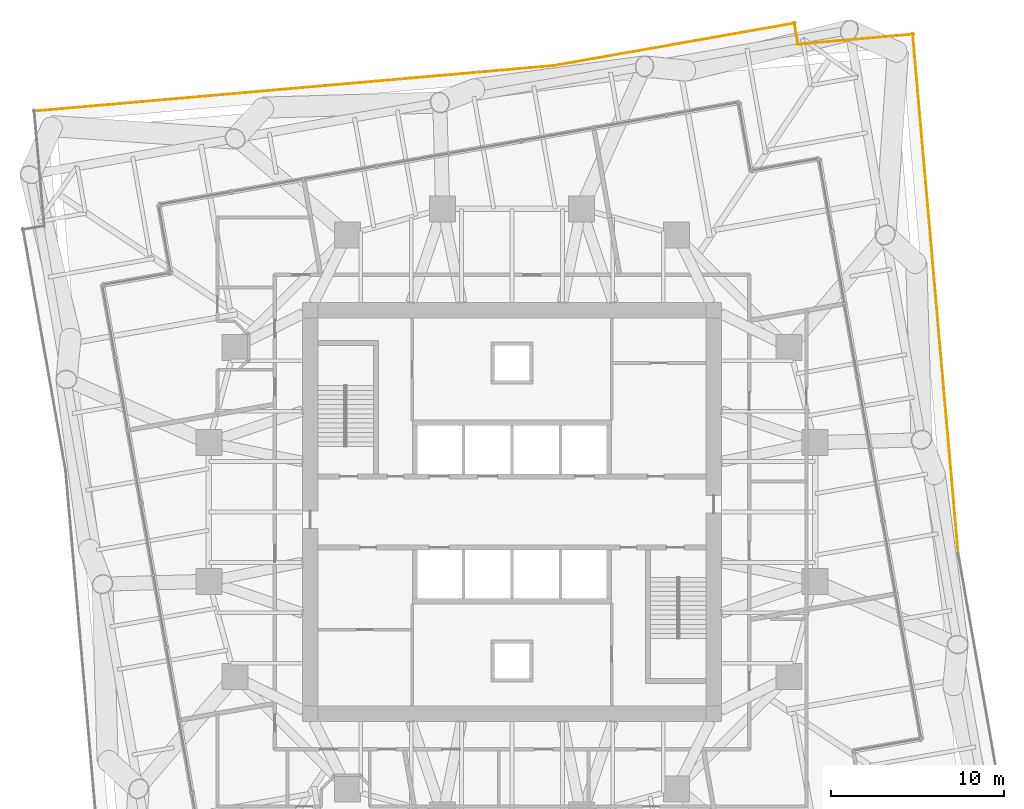
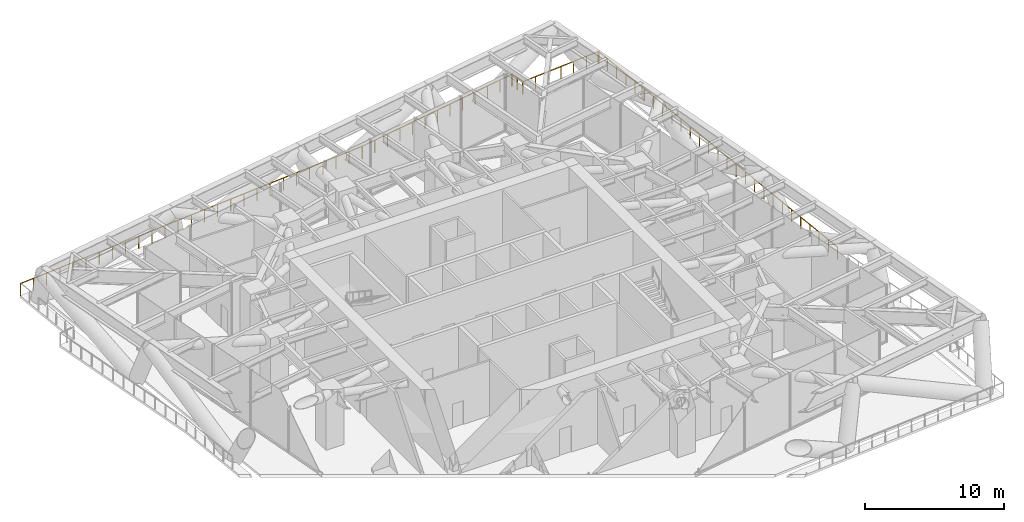
# One storey, part 15 of 15: 5 railings.
"""IFC4 building model written with IfcOpenShell, lengths in metres."""

from ifc_helpers import new_model, si_unit, direction, frame, origin, origin_2d, place, context, subcontext, project, spatial, circle, extrude, material, type_object, element, save


model = new_model("IFC4")

# Units and contexts
model_context = context("Model", 3, precision=1e-05, world=origin(), true_north=direction((0.0, 1.0)))
body_context = subcontext(model_context, "Body", "Model", "MODEL_VIEW")
ifc_project = project(units=[si_unit("LENGTHUNIT", "METRE"), si_unit("AREAUNIT", "SQUARE_METRE"), si_unit("VOLUMEUNIT", "CUBIC_METRE"), si_unit("PLANEANGLEUNIT", "RADIAN"), si_unit("MASSUNIT", "GRAM", prefix="KILO")], contexts=[model_context])

# Site, building, storey
site_placement = place(None, origin())
site = spatial("IfcSite", under=ifc_project, at=site_placement, CompositionType="ELEMENT")
building_placement = place(site_placement, origin())
building = spatial("IfcBuilding", under=site, at=building_placement, Name="Torsade Residences", CompositionType="ELEMENT")
storey_placement = place(building_placement, frame((0.0, 0.0, 74.39990234375)))
storey = spatial("IfcBuildingStorey", under=building, at=storey_placement, Name="L20", CompositionType="ELEMENT", Elevation=74.39990234375)

# Railings
ifc_material = material(Name="Galvanised steel guard rail", Category="steel")
railing_type = type_object("IfcRailingType", Name="ROOF EDGE GUARD 1100", PredefinedType="GUARDRAIL", material=ifc_material)
railing_1_placement = place(storey_placement, frame((65.756103515625, 27.6123046875, 0.0)))
element("IfcRailing", 1, at=railing_1_placement, inside=storey, type_object=railing_type, Name="Roof edge guard L20 7", PredefinedType="GUARDRAIL", context=body_context, shape_type="SweptSolid", body=[
    extrude(circle(Radius=0.02392578125, at=origin_2d()), frame((0.0, 0.0, 1.076171875), z_axis=(-0.087157700715, 0.99619452679, 0.0), x_axis=(-0.99619452679, -0.087157700715, 0.0)), (0.0, 0.0, 1.0), 30.12353515625),
    extrude(circle(Radius=0.02099609375, at=origin_2d()), origin(), (0.0, 0.0, 1.0), 1.052001953125),
    extrude(circle(Radius=0.02099609375, at=origin_2d()), frame((-0.10107421875, 1.154296875, 0.0)), (0.0, 0.0, 1.0), 1.052001953125),
    extrude(circle(Radius=0.02099609375, at=origin_2d()), frame((-0.201904296875, 2.308349609375, 0.0)), (0.0, 0.0, 1.0), 1.052001953125),
    extrude(circle(Radius=0.02099609375, at=origin_2d()), frame((-0.302978515625, 3.462646484375, 0.0)), (0.0, 0.0, 1.0), 1.052001953125),
    extrude(circle(Radius=0.02099609375, at=origin_2d()), frame((-0.40380859375, 4.61669921875, 0.0)), (0.0, 0.0, 1.0), 1.052001953125),
    extrude(circle(Radius=0.02099609375, at=origin_2d()), frame((-0.5048828125, 5.77099609375, 0.0)), (0.0, 0.0, 1.0), 1.052001953125),
    extrude(circle(Radius=0.02099609375, at=origin_2d()), frame((-0.60595703125, 6.925048828125, 0.0)), (0.0, 0.0, 1.0), 1.052001953125),
    extrude(circle(Radius=0.02099609375, at=origin_2d()), frame((-0.706787109375, 8.079345703125, 0.0)), (0.0, 0.0, 1.0), 1.052001953125),
    extrude(circle(Radius=0.02099609375, at=origin_2d()), frame((-0.807861328125, 9.2333984375, 0.0)), (0.0, 0.0, 1.0), 1.052001953125),
    extrude(circle(Radius=0.02099609375, at=origin_2d()), frame((-0.908935546875, 10.3876953125, 0.0)), (0.0, 0.0, 1.0), 1.052001953125),
    extrude(circle(Radius=0.02099609375, at=origin_2d()), frame((-1.009765625, 11.541748046875, 0.0)), (0.0, 0.0, 1.0), 1.052001953125),
    extrude(circle(Radius=0.02099609375, at=origin_2d()), frame((-1.11083984375, 12.696044921875, 0.0)), (0.0, 0.0, 1.0), 1.052001953125),
    extrude(circle(Radius=0.02099609375, at=origin_2d()), frame((-1.211669921875, 13.85009765625, 0.0)), (0.0, 0.0, 1.0), 1.052001953125),
    extrude(circle(Radius=0.02099609375, at=origin_2d()), frame((-1.312744140625, 15.00439453125, 0.0)), (0.0, 0.0, 1.0), 1.052001953125),
    extrude(circle(Radius=0.02099609375, at=origin_2d()), frame((-1.413818359375, 16.15869140625, 0.0)), (0.0, 0.0, 1.0), 1.052001953125),
    extrude(circle(Radius=0.02099609375, at=origin_2d()), frame((-1.5146484375, 17.312744140625, 0.0)), (0.0, 0.0, 1.0), 1.052001953125),
    extrude(circle(Radius=0.02099609375, at=origin_2d()), frame((-1.61572265625, 18.467041015625, 0.0)), (0.0, 0.0, 1.0), 1.052001953125),
    extrude(circle(Radius=0.02099609375, at=origin_2d()), frame((-1.716552734375, 19.62109375, 0.0)), (0.0, 0.0, 1.0), 1.052001953125),
    extrude(circle(Radius=0.02099609375, at=origin_2d()), frame((-1.817626953125, 20.775390625, 0.0)), (0.0, 0.0, 1.0), 1.052001953125),
    extrude(circle(Radius=0.02099609375, at=origin_2d()), frame((-1.918701171875, 21.929443359375, 0.0)), (0.0, 0.0, 1.0), 1.052001953125),
    extrude(circle(Radius=0.02099609375, at=origin_2d()), frame((-2.01953125, 23.083740234375, 0.0)), (0.0, 0.0, 1.0), 1.052001953125),
    extrude(circle(Radius=0.02099609375, at=origin_2d()), frame((-2.12060546875, 24.23779296875, 0.0)), (0.0, 0.0, 1.0), 1.052001953125),
    extrude(circle(Radius=0.02099609375, at=origin_2d()), frame((-2.2216796875, 25.39208984375, 0.0)), (0.0, 0.0, 1.0), 1.052001953125),
    extrude(circle(Radius=0.02099609375, at=origin_2d()), frame((-2.322509765625, 26.546142578125, 0.0)), (0.0, 0.0, 1.0), 1.052001953125),
    extrude(circle(Radius=0.02099609375, at=origin_2d()), frame((-2.423583984375, 27.700439453125, 0.0)), (0.0, 0.0, 1.0), 1.052001953125),
    extrude(circle(Radius=0.02099609375, at=origin_2d()), frame((-2.5244140625, 28.8544921875, 0.0)), (0.0, 0.0, 1.0), 1.052001953125),
    extrude(circle(Radius=0.02099609375, at=origin_2d()), frame((-2.62548828125, 30.0087890625, 0.0)), (0.0, 0.0, 1.0), 1.052001953125),
])
railing_2_placement = place(storey_placement, frame((63.184814453125, 57.57568359375, 0.0)))
element("IfcRailing", 2, at=railing_2_placement, inside=storey, type_object=railing_type, Name="Roof edge guard L20 8", PredefinedType="GUARDRAIL", context=body_context, shape_type="SweptSolid", body=[
    extrude(circle(Radius=0.02392578125, at=origin_2d()), frame((0.0, 0.0, 1.076171875), z_axis=(-0.996194660714, -0.087156169975, 0.0), x_axis=(0.087156169975, -0.996194660714, 0.0)), (0.0, 0.0, 1.0), 6.742431640625),
    extrude(circle(Radius=0.02099609375, at=origin_2d()), origin(), (0.0, 0.0, 1.0), 1.052001953125),
    extrude(circle(Radius=0.02099609375, at=origin_2d()), frame((-1.119384765625, -0.097900390625, 0.0)), (0.0, 0.0, 1.0), 1.052001953125),
    extrude(circle(Radius=0.02099609375, at=origin_2d()), frame((-2.239013671875, -0.19580078125, 0.0)), (0.0, 0.0, 1.0), 1.052001953125),
    extrude(circle(Radius=0.02099609375, at=origin_2d()), frame((-3.3583984375, -0.2939453125, 0.0)), (0.0, 0.0, 1.0), 1.052001953125),
    extrude(circle(Radius=0.02099609375, at=origin_2d()), frame((-4.477783203125, -0.391845703125, 0.0)), (0.0, 0.0, 1.0), 1.052001953125),
    extrude(circle(Radius=0.02099609375, at=origin_2d()), frame((-5.597412109375, -0.48974609375, 0.0)), (0.0, 0.0, 1.0), 1.052001953125),
    extrude(circle(Radius=0.02099609375, at=origin_2d()), frame((-6.716796875, -0.587646484375, 0.0)), (0.0, 0.0, 1.0), 1.052001953125),
])
railing_3_placement = place(storey_placement, frame((56.505859375, 57.037109375, 0.0)))
element("IfcRailing", 3, at=railing_3_placement, inside=storey, type_object=railing_type, Name="Roof edge guard L20 9", PredefinedType="GUARDRAIL", context=body_context, shape_type="SweptSolid", body=[
    extrude(circle(Radius=0.02392578125, at=origin_2d()), frame((0.0, 0.0, 1.076171875), z_axis=(-0.173684229312, 0.984801395454, 0.0), x_axis=(-0.984801395454, -0.173684229312, 0.0)), (0.0, 0.0, 1.0), 1.23974609375),
    extrude(circle(Radius=0.02099609375, at=origin_2d()), origin(), (0.0, 0.0, 1.0), 1.052001953125),
    extrude(circle(Radius=0.02099609375, at=origin_2d()), frame((-0.107666015625, 0.6103515625, 0.0)), (0.0, 0.0, 1.0), 1.052001953125),
    extrude(circle(Radius=0.02099609375, at=origin_2d()), frame((-0.21533203125, 1.220947265625, 0.0)), (0.0, 0.0, 1.0), 1.052001953125),
])
railing_4_placement = place(storey_placement, frame((56.348388671875, 58.217529296875, 0.0)))
element("IfcRailing", 4, at=railing_4_placement, inside=storey, type_object=railing_type, Name="Roof edge guard L20 10", PredefinedType="GUARDRAIL", context=body_context, shape_type="SweptSolid", body=[
    extrude(circle(Radius=0.02392578125, at=origin_2d()), frame((0.0, 0.0, 1.076171875), z_axis=(-0.984807475396, -0.173649752101, 0.0), x_axis=(0.173649752101, -0.984807475396, 0.0)), (0.0, 0.0, 1.0), 14.176025390625),
    extrude(circle(Radius=0.02099609375, at=origin_2d()), origin(), (0.0, 0.0, 1.0), 1.052001953125),
    extrude(circle(Radius=0.02099609375, at=origin_2d()), frame((-1.163330078125, -0.205078125, 0.0)), (0.0, 0.0, 1.0), 1.052001953125),
    extrude(circle(Radius=0.02099609375, at=origin_2d()), frame((-2.32666015625, -0.41015625, 0.0)), (0.0, 0.0, 1.0), 1.052001953125),
    extrude(circle(Radius=0.02099609375, at=origin_2d()), frame((-3.490234375, -0.615478515625, 0.0)), (0.0, 0.0, 1.0), 1.052001953125),
    extrude(circle(Radius=0.02099609375, at=origin_2d()), frame((-4.653564453125, -0.820556640625, 0.0)), (0.0, 0.0, 1.0), 1.052001953125),
    extrude(circle(Radius=0.02099609375, at=origin_2d()), frame((-5.81689453125, -1.025634765625, 0.0)), (0.0, 0.0, 1.0), 1.052001953125),
    extrude(circle(Radius=0.02099609375, at=origin_2d()), frame((-6.98046875, -1.23095703125, 0.0)), (0.0, 0.0, 1.0), 1.052001953125),
    extrude(circle(Radius=0.02099609375, at=origin_2d()), frame((-8.143798828125, -1.43603515625, 0.0)), (0.0, 0.0, 1.0), 1.052001953125),
    extrude(circle(Radius=0.02099609375, at=origin_2d()), frame((-9.30712890625, -1.64111328125, 0.0)), (0.0, 0.0, 1.0), 1.052001953125),
    extrude(circle(Radius=0.02099609375, at=origin_2d()), frame((-10.470458984375, -1.84619140625, 0.0)), (0.0, 0.0, 1.0), 1.052001953125),
    extrude(circle(Radius=0.02099609375, at=origin_2d()), frame((-11.6337890625, -2.05126953125, 0.0)), (0.0, 0.0, 1.0), 1.052001953125),
    extrude(circle(Radius=0.02099609375, at=origin_2d()), frame((-12.79736328125, -2.256591796875, 0.0)), (0.0, 0.0, 1.0), 1.052001953125),
    extrude(circle(Radius=0.02099609375, at=origin_2d()), frame((-13.960693359375, -2.461669921875, 0.0)), (0.0, 0.0, 1.0), 1.052001953125),
])
railing_5_placement = place(storey_placement, frame((42.3876953125, 55.756103515625, 0.0)))
element("IfcRailing", 5, at=railing_5_placement, inside=storey, type_object=railing_type, Name="Roof edge guard L20 11", PredefinedType="GUARDRAIL", context=body_context, shape_type="SweptSolid", body=[
    extrude(circle(Radius=0.02392578125, at=origin_2d()), frame((0.0, 0.0, 1.076171875), z_axis=(-0.99619452679, -0.087157700715, 0.0), x_axis=(0.087157700715, -0.99619452679, 0.0)), (0.0, 0.0, 1.0), 30.12353515625),
    extrude(circle(Radius=0.02099609375, at=origin_2d()), origin(), (0.0, 0.0, 1.0), 1.052001953125),
    extrude(circle(Radius=0.02099609375, at=origin_2d()), frame((-1.154296875, -0.10107421875, 0.0)), (0.0, 0.0, 1.0), 1.052001953125),
    extrude(circle(Radius=0.02099609375, at=origin_2d()), frame((-2.308349609375, -0.201904296875, 0.0)), (0.0, 0.0, 1.0), 1.052001953125),
    extrude(circle(Radius=0.02099609375, at=origin_2d()), frame((-3.462646484375, -0.302978515625, 0.0)), (0.0, 0.0, 1.0), 1.052001953125),
    extrude(circle(Radius=0.02099609375, at=origin_2d()), frame((-4.61669921875, -0.40380859375, 0.0)), (0.0, 0.0, 1.0), 1.052001953125),
    extrude(circle(Radius=0.02099609375, at=origin_2d()), frame((-5.77099609375, -0.5048828125, 0.0)), (0.0, 0.0, 1.0), 1.052001953125),
    extrude(circle(Radius=0.02099609375, at=origin_2d()), frame((-6.925048828125, -0.60595703125, 0.0)), (0.0, 0.0, 1.0), 1.052001953125),
    extrude(circle(Radius=0.02099609375, at=origin_2d()), frame((-8.079345703125, -0.706787109375, 0.0)), (0.0, 0.0, 1.0), 1.052001953125),
    extrude(circle(Radius=0.02099609375, at=origin_2d()), frame((-9.2333984375, -0.807861328125, 0.0)), (0.0, 0.0, 1.0), 1.052001953125),
    extrude(circle(Radius=0.02099609375, at=origin_2d()), frame((-10.3876953125, -0.908935546875, 0.0)), (0.0, 0.0, 1.0), 1.052001953125),
    extrude(circle(Radius=0.02099609375, at=origin_2d()), frame((-11.541748046875, -1.009765625, 0.0)), (0.0, 0.0, 1.0), 1.052001953125),
    extrude(circle(Radius=0.02099609375, at=origin_2d()), frame((-12.696044921875, -1.11083984375, 0.0)), (0.0, 0.0, 1.0), 1.052001953125),
    extrude(circle(Radius=0.02099609375, at=origin_2d()), frame((-13.85009765625, -1.211669921875, 0.0)), (0.0, 0.0, 1.0), 1.052001953125),
    extrude(circle(Radius=0.02099609375, at=origin_2d()), frame((-15.00439453125, -1.312744140625, 0.0)), (0.0, 0.0, 1.0), 1.052001953125),
    extrude(circle(Radius=0.02099609375, at=origin_2d()), frame((-16.15869140625, -1.413818359375, 0.0)), (0.0, 0.0, 1.0), 1.052001953125),
    extrude(circle(Radius=0.02099609375, at=origin_2d()), frame((-17.312744140625, -1.5146484375, 0.0)), (0.0, 0.0, 1.0), 1.052001953125),
    extrude(circle(Radius=0.02099609375, at=origin_2d()), frame((-18.467041015625, -1.61572265625, 0.0)), (0.0, 0.0, 1.0), 1.052001953125),
    extrude(circle(Radius=0.02099609375, at=origin_2d()), frame((-19.62109375, -1.716552734375, 0.0)), (0.0, 0.0, 1.0), 1.052001953125),
    extrude(circle(Radius=0.02099609375, at=origin_2d()), frame((-20.775390625, -1.817626953125, 0.0)), (0.0, 0.0, 1.0), 1.052001953125),
    extrude(circle(Radius=0.02099609375, at=origin_2d()), frame((-21.929443359375, -1.918701171875, 0.0)), (0.0, 0.0, 1.0), 1.052001953125),
    extrude(circle(Radius=0.02099609375, at=origin_2d()), frame((-23.083740234375, -2.01953125, 0.0)), (0.0, 0.0, 1.0), 1.052001953125),
    extrude(circle(Radius=0.02099609375, at=origin_2d()), frame((-24.23779296875, -2.12060546875, 0.0)), (0.0, 0.0, 1.0), 1.052001953125),
    extrude(circle(Radius=0.02099609375, at=origin_2d()), frame((-25.39208984375, -2.2216796875, 0.0)), (0.0, 0.0, 1.0), 1.052001953125),
    extrude(circle(Radius=0.02099609375, at=origin_2d()), frame((-26.546142578125, -2.322509765625, 0.0)), (0.0, 0.0, 1.0), 1.052001953125),
    extrude(circle(Radius=0.02099609375, at=origin_2d()), frame((-27.700439453125, -2.423583984375, 0.0)), (0.0, 0.0, 1.0), 1.052001953125),
    extrude(circle(Radius=0.02099609375, at=origin_2d()), frame((-28.8544921875, -2.5244140625, 0.0)), (0.0, 0.0, 1.0), 1.052001953125),
    extrude(circle(Radius=0.02099609375, at=origin_2d()), frame((-30.0087890625, -2.62548828125, 0.0)), (0.0, 0.0, 1.0), 1.052001953125),
])

save(model, "model.ifc")
